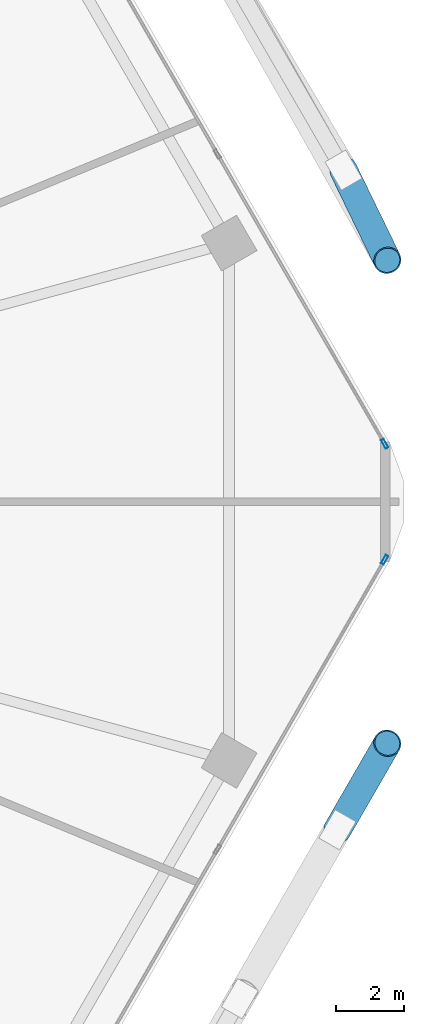
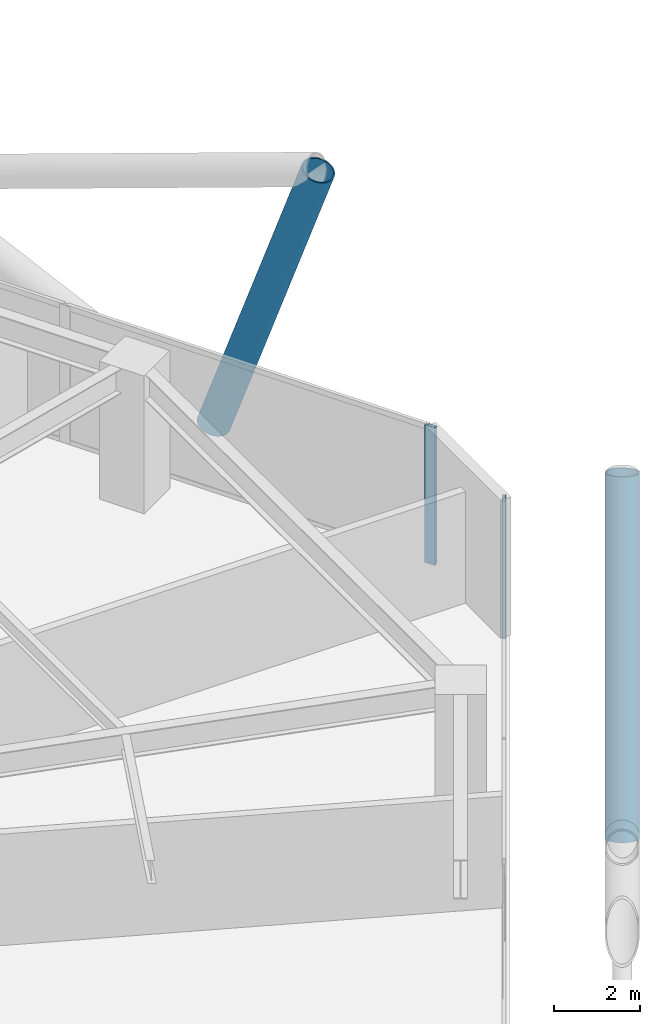
# One storey, part 23 of 28: 4 members, 2 elements without a shape of their own.
"""IFC4 building model written with IfcOpenShell, lengths in metres."""

from ifc_helpers import new_model, si_unit, direction, frame, origin, origin_2d, place, context, subcontext, project, spatial, hollow_rectangle, hollow_circle, extrude, material, material_profile, profile_set, type_object, element, aggregate, save


model = new_model("IFC4")

# Units and contexts
model_context = context("Model", 3, precision=1e-05, world=origin(), true_north=direction((0.0, 1.0)))
body_context = subcontext(model_context, "Body", "Model", "MODEL_VIEW")
ifc_project = project(units=[si_unit("LENGTHUNIT", "METRE"), si_unit("AREAUNIT", "SQUARE_METRE"), si_unit("VOLUMEUNIT", "CUBIC_METRE"), si_unit("PLANEANGLEUNIT", "RADIAN"), si_unit("MASSUNIT", "GRAM", prefix="KILO")], contexts=[model_context])

# Site, building, storey
site_placement = place(None, origin())
site = spatial("IfcSite", under=ifc_project, at=site_placement, CompositionType="ELEMENT")
building_placement = place(site_placement, origin())
building = spatial("IfcBuilding", under=site, at=building_placement, Name="Zuhravey Tower", CompositionType="ELEMENT")
storey_placement = place(building_placement, frame((0.0, 0.0, 66.60009765625)))
storey = spatial("IfcBuildingStorey", under=building, at=storey_placement, Name="L16", CompositionType="ELEMENT", Elevation=66.60009765625)

# Curtain wall, member
ifc_material_1 = material(Name="Thermally broken anodised aluminium", Category="aluminium")
curtain_wall_type = type_object("IfcCurtainWallType", Name="School Low-E Unitised Curtain Wall CW1", PredefinedType="NOTDEFINED", material=ifc_material_1)
curtain_wall_1_placement = place(storey_placement, origin())
curtain_wall_1 = element("IfcCurtainWall", 1, at=curtain_wall_1_placement, inside=storey, type_object=curtain_wall_type, Name="L16 CW1 CW-L16-F6-1", PredefinedType="NOTDEFINED")
ifc_material_2 = material(Name="Anodised aluminium", Category="aluminium")
ifc_material_profile_1 = material_profile(ifc_material_2, hollow_rectangle(XDim=0.090087890625, YDim=0.284912109375, WallThickness=0.0048828125, at=origin_2d()), Name="ALU-RHS-90x285x5")
ifc_profile_set_1 = profile_set([ifc_material_profile_1], Name="Anodised aluminium")
member_type_1 = type_object("IfcMemberType", Name="Curtain-Wall Mullion 90x180", PredefinedType="MULLION", material=ifc_profile_set_1)
member_1_placement = place(storey_placement, frame((68.4560546875, 30.298583984375, 0.0), z_axis=(0.0, 0.0, 1.0), x_axis=(0.86602552265, -0.499999794119, 0.0)))
member_1 = element("IfcMember", 2, at=member_1_placement, type_object=member_type_1, Name="CW1 mullion 1", PredefinedType="MULLION", context=body_context, shape_type="SweptSolid", body=[
    extrude(hollow_rectangle(XDim=0.090087890625, YDim=0.284912109375, WallThickness=0.0048828125, at=origin_2d()), origin(), (0.0, 0.0, 1.0), 3.919921875),
])
aggregate(curtain_wall_1, [member_1])

curtain_wall_2_placement = place(storey_placement, origin())
curtain_wall_2 = element("IfcCurtainWall", 3, at=curtain_wall_2_placement, inside=storey, type_object=curtain_wall_type, Name="L16 CW1 CW-L16-F1-1", PredefinedType="NOTDEFINED")
member_2_placement = place(storey_placement, frame((68.4560546875, 33.701416015625, 0.0), z_axis=(0.0, 0.0, 1.0), x_axis=(0.86602552265, 0.499999794119, 0.0)))
member_2 = element("IfcMember", 4, at=member_2_placement, type_object=member_type_1, Name="CW1 mullion 4", PredefinedType="MULLION", context=body_context, shape_type="SweptSolid", body=[
    extrude(hollow_rectangle(XDim=0.090087890625, YDim=0.284912109375, WallThickness=0.0048828125, at=origin_2d()), origin(), (0.0, 0.0, 1.0), 3.919921875),
])
aggregate(curtain_wall_2, [member_2])

# Members
ifc_material_3 = material(Name="Steel SM460", Category="steel")
ifc_material_profile_2 = material_profile(ifc_material_3, hollow_circle(Radius=0.406494140625, WallThickness=0.035888671875, at=origin_2d()), Name="CHS-812.8x36")
ifc_profile_set_2 = profile_set([ifc_material_profile_2], Name="Steel SM460")
member_type_2 = type_object("IfcMemberType", Name="Exoskeleton Zone 1 Diagrid CHS813x36", PredefinedType="BRACE", material=ifc_profile_set_2)
member_3_placement = place(storey_placement, frame((67.251220703125, 41.727294921875, -0.47216796875), z_axis=(0.144834248996, -0.298076272248, 0.943490103944), x_axis=(0.899443702204, 0.437036642132, 0.0)))
element("IfcMember", 5, at=member_3_placement, inside=storey, type_object=member_type_2, Name="L16 Face 1 Diagrid Brace 1", PredefinedType="BRACE", context=body_context, shape_type="SweptSolid", body=[
    extrude(hollow_circle(Radius=0.406494140625, WallThickness=0.035888671875, at=origin_2d()), origin(), (0.0, 0.0, 1.0), 8.8564453125),
])
member_4_placement = place(storey_placement, frame((67.06982421875, 22.37744140625, -0.47216796875), z_axis=(0.165307317227, 0.286358046605, 0.943754501984), x_axis=(-0.866053660865, 0.499951054106, 0.0)))
element("IfcMember", 6, at=member_4_placement, inside=storey, type_object=member_type_2, Name="L16 Face 6 Diagrid Brace 4", PredefinedType="BRACE", context=body_context, shape_type="SweptSolid", body=[
    extrude(hollow_circle(Radius=0.406494140625, WallThickness=0.035888671875, at=origin_2d()), origin(), (0.0, 0.0, 1.0), 8.85400390625),
])

save(model, "model.ifc")
